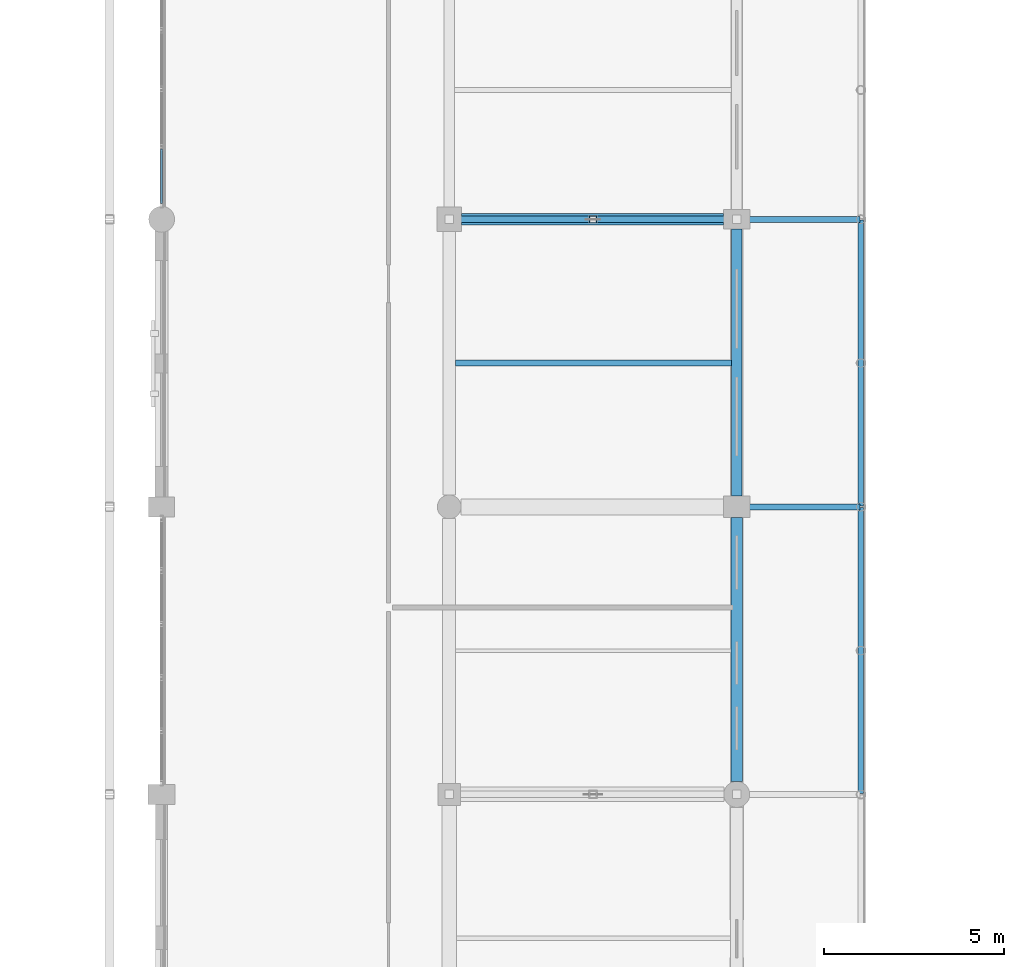
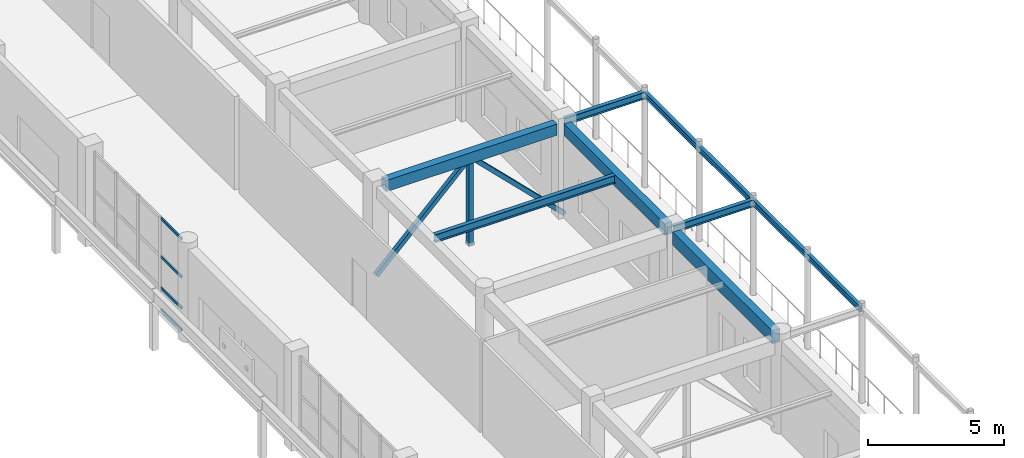
# One storey, part 66 of 160: 8 beams, 7 members, 1 element without a shape of its own.
"""IFC4 building model written with IfcOpenShell, lengths in metres."""

import ifcopenshell
import ifcopenshell.guid

model = None  # the IFC model being written
_history = None  # IfcOwnerHistory: only IFC2X3 demands one
_inside = {}  # id of a spatial element -> (the spatial element, [elements in it])
_under = {}  # id of a project, library or spatial element -> (it, [spatial elements below it])
_declared = {}  # id of a project -> (the project, [libraries it declares])
_typed = {}  # id of a type object -> (the type object, [elements of that type])
_made_of = {}  # id of a material, layer set ... -> (it, [elements and type objects made of it])


def new_model(schema):
    """Start an empty IFC model of exactly this schema.

    Asked for "IFC4X3", IfcOpenShell would pick the latest addendum, in which some entities
    have other attributes; the version numbers below select the first issue.
    IFC2X3 requires an IfcOwnerHistory on every rooted entity: one is made here for all.
    """
    global model, _history
    if schema == "IFC4X3":
        model = ifcopenshell.file(schema_version=(4, 3, 0, 0))
    else:
        model = ifcopenshell.file(schema=schema)
    _inside.clear()
    _under.clear()
    _declared.clear()
    _typed.clear()
    _made_of.clear()
    _history = None
    if model.schema == "IFC2X3":
        org = make("IfcOrganization", Name="unknown")
        user = make(
            "IfcPersonAndOrganization",
            ThePerson=make("IfcPerson", FamilyName="unknown"),
            TheOrganization=org,
        )
        app = make(
            "IfcApplication",
            ApplicationDeveloper=org,
            Version="unknown",
            ApplicationFullName="unknown",
            ApplicationIdentifier="unknown",
        )
        _history = make(
            "IfcOwnerHistory",
            OwningUser=user,
            OwningApplication=app,
            ChangeAction="ADDED",
            CreationDate=0,
        )
    return model


def make(cls, **values):
    """One entity of the class cls with the attributes given. An attribute that is None is left unset."""
    return model.create_entity(
        cls, **{name: value for name, value in values.items() if value is not None}
    )


def rooted(cls, **values):
    """An entity with a GlobalId (a new one), such as an element, a storey or a relation."""
    return make(cls, GlobalId=ifcopenshell.guid.new(), OwnerHistory=_history, **values)


def si_unit(unit_type, name, prefix=None):
    """IfcSIUnit, for example si_unit("LENGTHUNIT", "METRE", prefix="MILLI")."""
    return make("IfcSIUnit", UnitType=unit_type, Prefix=prefix, Name=name)


def assignment(units):
    """IfcUnitAssignment: the units of a project."""
    return None if units is None else make("IfcUnitAssignment", Units=units)


def point(xyz):
    """IfcCartesianPoint."""
    return None if xyz is None else make("IfcCartesianPoint", Coordinates=xyz)


def direction(xyz):
    """IfcDirection."""
    return None if xyz is None else make("IfcDirection", DirectionRatios=xyz)


def frame(location, z_axis=None, x_axis=None):
    """IfcAxis2Placement3D, a coordinate frame: its origin and axes. An axis left out is left unset."""
    return make(
        "IfcAxis2Placement3D",
        Location=point(location),
        Axis=direction(z_axis),
        RefDirection=direction(x_axis),
    )


def frame_2d(location, x_axis=None):
    """IfcAxis2Placement2D, a coordinate frame in the plane: its origin and x axis."""
    return make(
        "IfcAxis2Placement2D", Location=point(location), RefDirection=direction(x_axis)
    )


def origin():
    """The frame at (0, 0, 0) with its axes left unset."""
    return frame((0.0, 0.0, 0.0))


def origin_2d():
    """The frame at (0, 0) in the plane with its x axis left unset."""
    return frame_2d((0.0, 0.0))


def place(relative_to, where):
    """IfcLocalPlacement: puts the frame where relative to a parent placement (None: the world)."""
    return make(
        "IfcLocalPlacement", PlacementRelTo=relative_to, RelativePlacement=where
    )


def context(
    kind, dimensions, precision=None, world=None, true_north=None, identifier=None
):
    """IfcGeometricRepresentationContext, for example the 3D "Model" context."""
    return make(
        "IfcGeometricRepresentationContext",
        ContextIdentifier=identifier,
        ContextType=kind,
        CoordinateSpaceDimension=dimensions,
        Precision=precision,
        WorldCoordinateSystem=world,
        TrueNorth=true_north,
    )


def subcontext(parent, identifier, kind, view, scale=None):
    """IfcGeometricRepresentationSubContext, for example "Body" below "Model"."""
    return make(
        "IfcGeometricRepresentationSubContext",
        ContextIdentifier=identifier,
        ContextType=kind,
        ParentContext=parent,
        TargetScale=scale,
        TargetView=view,
    )


def project(units=None, contexts=None):
    """IfcProject with its units and contexts."""
    return rooted(
        "IfcProject",
        Name="project",
        RepresentationContexts=contexts,
        UnitsInContext=assignment(units),
    )


def spatial(cls, under=None, at=None, **own):
    """A site, building, storey or space (cls), placed at a placement, below another one or the project."""
    s = rooted(cls, ObjectPlacement=at, **own)
    if under is not None:
        _under.setdefault(under.id(), (under, []))[1].append(s)
    return s


def profile(cls, at=None, kind="AREA", **sizes):
    """A parametric profile (cls). Its sizes go by their IFC names, for example OverallWidth=200.0."""
    return make(cls, ProfileType=kind, Position=at, **sizes)


def rectangle(**sizes):
    """IfcRectangleProfileDef."""
    return profile("IfcRectangleProfileDef", **sizes)


def hollow_rectangle(**sizes):
    """IfcRectangleHollowProfileDef."""
    return profile("IfcRectangleHollowProfileDef", **sizes)


def i_section(**sizes):
    """IfcIShapeProfileDef."""
    return profile("IfcIShapeProfileDef", **sizes)


def extrude(swept, where, along, depth):
    """IfcExtrudedAreaSolid: the profile swept, set in the frame where, extruded along a direction by depth."""
    return make(
        "IfcExtrudedAreaSolid",
        SweptArea=swept,
        Position=where,
        ExtrudedDirection=direction(along),
        Depth=depth,
    )


def shape(context_of_items, identifier, shape_type, items):
    """IfcShapeRepresentation: the items that make up one representation, for example the "Body"."""
    return make(
        "IfcShapeRepresentation",
        ContextOfItems=context_of_items,
        RepresentationIdentifier=identifier,
        RepresentationType=shape_type,
        Items=items,
    )


def material(Name=None, Category=None):
    """IfcMaterial."""
    return make("IfcMaterial", Name=Name, Category=Category)


def material_profile(
    of_material, cross_section, Name=None, Category=None, Priority=None
):
    """IfcMaterialProfile: a cross section and its material."""
    return make(
        "IfcMaterialProfile",
        Name=Name,
        Material=of_material,
        Profile=cross_section,
        Priority=Priority,
        Category=Category,
    )


def profile_set(profiles, Name=None, composite=None):
    """IfcMaterialProfileSet."""
    return make(
        "IfcMaterialProfileSet",
        Name=Name,
        MaterialProfiles=profiles,
        CompositeProfile=composite,
    )


def made_of(thing, what):
    """Note that an element or type object is made of a material, layer set ...; save() writes the relation."""
    if what is not None:
        _made_of.setdefault(what.id(), (what, []))[1].append(thing)
    return thing


def type_object(cls, material=None, **own):
    """A type object (cls), such as IfcWallType, which elements share."""
    return made_of(rooted(cls, **own), material)


def element(
    cls,
    number,
    at=None,
    inside=None,
    cuts=None,
    type_object=None,
    material=None,
    context=None,
    identifier="Body",
    shape_type=None,
    held_by="IfcProductDefinitionShape",
    body=None,
    shapes=None,
    **own,
):
    """One element of the class cls, such as IfcWall. Its Tag is "e" and its number.

    at: its placement. inside: the storey or other place that contains it. cuts: it is an
    opening in that element (IfcRelVoidsElement). A single representation is given by context,
    identifier, shape_type and body (its items); several are given by shapes. held_by: the class
    of the entity that holds the representations. save() writes the other relations.
    """
    e = rooted(cls, Tag="e%d" % number, ObjectPlacement=at, **own)
    if body is not None:
        shapes = [shape(context, identifier, shape_type, body)]
    if shapes is not None:
        e.Representation = make(held_by, Representations=shapes)
    if inside is not None:
        _inside.setdefault(inside.id(), (inside, []))[1].append(e)
    if cuts is not None:
        rooted(
            "IfcRelVoidsElement", RelatingBuildingElement=cuts, RelatedOpeningElement=e
        )
    if type_object is not None:
        _typed.setdefault(type_object.id(), (type_object, []))[1].append(e)
    return made_of(e, material)


def aggregate(whole, parts):
    """IfcRelAggregates: a whole, such as a stair, and the parts it consists of."""
    return rooted("IfcRelAggregates", RelatingObject=whole, RelatedObjects=parts)


def save(model, path):
    """Write the relations noted so far, then the file.

    IfcRelAggregates (storeys below a building ...), IfcRelContainedInSpatialStructure (elements
    in a storey), IfcRelDefinesByType, IfcRelAssociatesMaterial and IfcRelDeclares: one each for
    every whole, place, type object, material and project.
    """
    for whole, parts in _under.values():
        aggregate(whole, parts)
    for where, things in _inside.values():
        rooted(
            "IfcRelContainedInSpatialStructure",
            RelatedElements=things,
            RelatingStructure=where,
        )
    for kind, things in _typed.values():
        rooted("IfcRelDefinesByType", RelatedObjects=things, RelatingType=kind)
    for what, things in _made_of.values():
        rooted("IfcRelAssociatesMaterial", RelatedObjects=things, RelatingMaterial=what)
    for by, libraries in _declared.values():
        rooted("IfcRelDeclares", RelatingContext=by, RelatedDefinitions=libraries)
    model.write(path)


model = new_model("IFC4")

# Units and contexts
model_context = context("Model", 3, precision=1e-05, world=origin(), true_north=direction((0.0, 1.0)))
body_context = subcontext(model_context, "Body", "Model", "MODEL_VIEW")
ifc_project = project(units=[si_unit("LENGTHUNIT", "METRE"), si_unit("AREAUNIT", "SQUARE_METRE"), si_unit("VOLUMEUNIT", "CUBIC_METRE"), si_unit("PLANEANGLEUNIT", "RADIAN"), si_unit("MASSUNIT", "GRAM", prefix="KILO")], contexts=[model_context])

# Site, building, storey
site_placement = place(None, origin())
site = spatial("IfcSite", under=ifc_project, at=site_placement, CompositionType="ELEMENT")
building_placement = place(site_placement, origin())
building = spatial("IfcBuilding", under=site, at=building_placement, Name="Kharva Crest Polytechnic", CompositionType="ELEMENT")
storey_placement = place(building_placement, frame((0.0, 0.0, 4.5)))
storey = spatial("IfcBuildingStorey", under=building, at=storey_placement, Name="L01", CompositionType="ELEMENT", Elevation=4.5)

# Beams
ifc_material_1 = material(Name="Concrete C35/45", Category="concrete")
ifc_material_profile_1 = material_profile(ifc_material_1, rectangle(XDim=0.320068359375, YDim=0.5, at=origin_2d()), Name="RECT 320 X 500")
ifc_profile_set_1 = profile_set([ifc_material_profile_1], Name="Concrete C35/45")
beam_type_1 = type_object("IfcBeamType", Name="BM-RC-320X500", PredefinedType="BEAM", material=ifc_profile_set_1)
beam_1_placement = place(storey_placement, frame((40.340087890625, 78.800048828125, 3.969970703125), z_axis=(1.0, 0.0, 0.0), x_axis=(0.0, 1.0, 0.0)))
element("IfcBeam", 1, at=beam_1_placement, inside=storey, type_object=beam_type_1, Name="L01 Beam L/6-7", PredefinedType="BEAM", context=body_context, shape_type="SweptSolid", body=[
    extrude(rectangle(XDim=0.320068359375, YDim=0.5, at=origin_2d()), origin(), (0.0, 0.0, 1.0), 7.284912109375),
])
ifc_material_2 = material(Name="Steel S355", Category="steel")
ifc_material_profile_2 = material_profile(ifc_material_2, i_section(OverallWidth=0.14794921875, OverallDepth=0.26611328125, WebThickness=0.007568359375, FlangeThickness=0.012939453125, at=origin_2d()), Name="W250X44.8")
ifc_profile_set_2 = profile_set([ifc_material_profile_2], Name="Steel S355")
beam_type_2 = type_object("IfcBeamType", Name="BM-STL-W250X44", PredefinedType="SPANDREL", material=ifc_profile_set_2)
for number, where, z_axis, x_axis, name in (
    (2, (51.449951171875, 62.820068359375, 4.156982421875), (0.0, 1.0, 0.0), (-1.0, 0.0, 0.0), "L01 West Veranda Beam 3"),
    (3, (51.449951171875, 70.820068359375, 4.156982421875), (0.0, 1.0, 0.0), (-1.0, 0.0, 0.0), "L01 West Veranda Beam 4"),
):
    element("IfcBeam", number, at=place(storey_placement, frame(where, z_axis=z_axis, x_axis=x_axis)), inside=storey, type_object=beam_type_2, Name=name, PredefinedType="SPANDREL", context=body_context, shape_type="SweptSolid", body=[
        extrude(i_section(OverallWidth=0.14794921875, OverallDepth=0.26611328125, WebThickness=0.007568359375, FlangeThickness=0.012939453125, at=origin_2d()), origin(), (0.0, 0.0, 1.0), 7.9599609375),
    ])
ifc_material_profile_3 = material_profile(ifc_material_2, i_section(OverallWidth=0.1669921875, OverallDepth=0.31689453125, WebThickness=0.007568359375, FlangeThickness=0.01318359375, at=origin_2d()), Name="W310X52")
ifc_profile_set_3 = profile_set([ifc_material_profile_3], Name="Steel S355")
beam_type_3 = type_object("IfcBeamType", Name="BM-STL-W310X52", PredefinedType="BEAM", material=ifc_profile_set_3)
for number, where, z_axis, x_axis, name in (
    (4, (48.02001953125, 70.800048828125, 4.131591796875), (1.0, 0.0, 0.0), (0.0, 1.0, 0.0), "L01 West Veranda Tie 4"),
    (5, (48.02001953125, 78.800048828125, 4.131591796875), (1.0, 0.0, 0.0), (0.0, 1.0, 0.0), "L01 West Veranda Tie 5"),
):
    element("IfcBeam", number, at=place(storey_placement, frame(where, z_axis=z_axis, x_axis=x_axis)), inside=storey, type_object=beam_type_3, Name=name, PredefinedType="BEAM", context=body_context, shape_type="SweptSolid", body=[
        extrude(i_section(OverallWidth=0.1669921875, OverallDepth=0.31689453125, WebThickness=0.007568359375, FlangeThickness=0.01318359375, at=origin_2d()), origin(), (0.0, 0.0, 1.0), 3.409912109375),
    ])
ifc_material_profile_4 = material_profile(ifc_material_2, i_section(OverallWidth=0.172119140625, OverallDepth=0.35791015625, WebThickness=0.0078125, FlangeThickness=0.01318359375, at=origin_2d()), Name="W360X57.8")
ifc_profile_set_4 = profile_set([ifc_material_profile_4], Name="Steel S355")
beam_type_4 = type_object("IfcBeamType", Name="BM-STL-W360X57", PredefinedType="JOIST", material=ifc_profile_set_4)
beam_2_placement = place(storey_placement, frame((40.169921875, 74.800048828125, 4.041015625), z_axis=(1.0, 0.0, 0.0), x_axis=(0.0, 1.0, 0.0)))
element("IfcBeam", 6, at=beam_2_placement, inside=storey, type_object=beam_type_4, Name="L01 Floor Joist 4", PredefinedType="JOIST", context=body_context, shape_type="SweptSolid", body=[
    extrude(i_section(OverallWidth=0.172119140625, OverallDepth=0.35791015625, WebThickness=0.0078125, FlangeThickness=0.01318359375, at=origin_2d()), origin(), (0.0, 0.0, 1.0), 7.68017578125),
])

# Curtain wall, members
ifc_material_3 = material(Name="Tempered insulated glass", Category="glass")
curtain_wall_type = type_object("IfcCurtainWallType", Name="CW-SYS-COURT", PredefinedType="USERDEFINED", material=ifc_material_3)
curtain_wall_placement = place(storey_placement, origin())
curtain_wall = element("IfcCurtainWall", 7, at=curtain_wall_placement, inside=storey, type_object=curtain_wall_type, Name="L01 Glazed Curtain Wall CW-053", ObjectType="CURTAIN WALL", PredefinedType="USERDEFINED")
ifc_material_profile_5 = material_profile(ifc_material_2, hollow_rectangle(XDim=0.06005859375, YDim=0.1201171875, WallThickness=0.00390625, at=origin_2d()), Name="RHS 120X60X4.0")
ifc_profile_set_5 = profile_set([ifc_material_profile_5], Name="Steel S355")
member_type_1 = type_object("IfcMemberType", Name="CWT-RHS120X60", PredefinedType="USERDEFINED", material=ifc_profile_set_5)
member_1_placement = place(storey_placement, frame((32.0, 80.757568359375, 0.06005859375), z_axis=(0.0, -1.0, 0.0), x_axis=(1.0, 0.0, 0.0)))
member_1 = element("IfcMember", 8, at=member_1_placement, type_object=member_type_1, Name="CW-053 transom 4.1", ObjectType="TRANSOM", PredefinedType="USERDEFINED", context=body_context, shape_type="SweptSolid", body=[
    extrude(hollow_rectangle(XDim=0.06005859375, YDim=0.1201171875, WallThickness=0.00390625, at=origin_2d()), origin(), (0.0, 0.0, 1.0), 1.512451171875),
])
member_2_placement = place(storey_placement, frame((32.0, 80.757568359375, 1.050048828125), z_axis=(0.0, -1.0, 0.0), x_axis=(1.0, 0.0, 0.0)))
member_2 = element("IfcMember", 9, at=member_2_placement, type_object=member_type_1, Name="CW-053 transom 4.2", ObjectType="TRANSOM", PredefinedType="USERDEFINED", context=body_context, shape_type="SweptSolid", body=[
    extrude(hollow_rectangle(XDim=0.06005859375, YDim=0.1201171875, WallThickness=0.00390625, at=origin_2d()), origin(), (0.0, 0.0, 1.0), 1.512451171875),
])
member_3_placement = place(storey_placement, frame((32.0, 80.757568359375, 2.449951171875), z_axis=(0.0, -1.0, 0.0), x_axis=(1.0, 0.0, 0.0)))
member_3 = element("IfcMember", 10, at=member_3_placement, type_object=member_type_1, Name="CW-053 transom 4.3", ObjectType="TRANSOM", PredefinedType="USERDEFINED", context=body_context, shape_type="SweptSolid", body=[
    extrude(hollow_rectangle(XDim=0.06005859375, YDim=0.1201171875, WallThickness=0.00390625, at=origin_2d()), origin(), (0.0, 0.0, 1.0), 1.512451171875),
])
member_4_placement = place(storey_placement, frame((32.0, 80.757568359375, 4.159912109375), z_axis=(0.0, -1.0, 0.0), x_axis=(1.0, 0.0, 0.0)))
member_4 = element("IfcMember", 11, at=member_4_placement, type_object=member_type_1, Name="CW-053 transom 4.4", ObjectType="TRANSOM", PredefinedType="USERDEFINED", context=body_context, shape_type="SweptSolid", body=[
    extrude(hollow_rectangle(XDim=0.06005859375, YDim=0.1201171875, WallThickness=0.00390625, at=origin_2d()), origin(), (0.0, 0.0, 1.0), 1.512451171875),
])
aggregate(curtain_wall, [member_1, member_2, member_3, member_4])

# Members
ifc_material_profile_6 = material_profile(ifc_material_2, hollow_rectangle(XDim=0.179931640625, YDim=0.179931640625, WallThickness=0.008056640625, at=origin_2d()), Name="RHS 180X180X8.0")
ifc_profile_set_6 = profile_set([ifc_material_profile_6], Name="Steel S355")
member_type_2 = type_object("IfcMemberType", Name="MEM-RHS180-BR", PredefinedType="BRACE", material=ifc_profile_set_6)
for number, where, z_axis, x_axis, name in (
    (12, (40.0, 78.800048828125, 0.0), (0.711544263728, 0.0, 0.702641274589), (0.0, 1.0, 0.0), "L01 Braced Frame 5 Diagonal A"),
    (13, (48.0, 78.800048828125, 0.0), (-0.711544263728, 0.0, 0.702641274589), (0.0, -1.0, 0.0), "L01 Braced Frame 5 Diagonal B"),
):
    element("IfcMember", number, at=place(storey_placement, frame(where, z_axis=z_axis, x_axis=x_axis)), inside=storey, type_object=member_type_2, Name=name, PredefinedType="BRACE", context=body_context, shape_type="SweptSolid", body=[
        extrude(hollow_rectangle(XDim=0.179931640625, YDim=0.179931640625, WallThickness=0.008056640625, at=origin_2d()), origin(), (0.0, 0.0, 1.0), 5.62158203125),
    ])
ifc_material_profile_7 = material_profile(ifc_material_2, hollow_rectangle(XDim=0.199951171875, YDim=0.199951171875, WallThickness=0.008056640625, at=origin_2d()), Name="RHS 200X200X8.0")
ifc_profile_set_7 = profile_set([ifc_material_profile_7], Name="Steel S355")
member_type_3 = type_object("IfcMemberType", Name="MEM-RHS200-ST", PredefinedType="STRUT", material=ifc_profile_set_7)
member_5_placement = place(storey_placement, frame((44.0, 78.800048828125, 0.0), z_axis=(0.0, 0.0, 1.0), x_axis=(1.0, 0.0, 0.0)))
element("IfcMember", 14, at=member_5_placement, inside=storey, type_object=member_type_3, Name="L01 Braced Frame 5 King Strut", PredefinedType="STRUT", context=body_context, shape_type="SweptSolid", body=[
    extrude(hollow_rectangle(XDim=0.199951171875, YDim=0.199951171875, WallThickness=0.008056640625, at=origin_2d()), origin(), (0.0, 0.0, 1.0), 3.949951171875),
])

# Beams
ifc_material_profile_8 = material_profile(ifc_material_1, rectangle(XDim=0.300048828125, YDim=0.52001953125, at=origin_2d()), Name="RECT 300 X 520")
ifc_profile_set_8 = profile_set([ifc_material_profile_8], Name="Concrete C35/45")
beam_type_5 = type_object("IfcBeamType", Name="SP-RC-300X520", PredefinedType="SPANDREL", material=ifc_profile_set_8)
beam_3_placement = place(storey_placement, frame((48.0, 71.10009765625, 3.9599609375), z_axis=(0.0, 1.0, 0.0), x_axis=(-1.0, 0.0, 0.0)))
element("IfcBeam", 15, at=beam_3_placement, inside=storey, type_object=beam_type_5, Name="L01 Girder 7/K-L", PredefinedType="SPANDREL", context=body_context, shape_type="SweptSolid", body=[
    extrude(rectangle(XDim=0.300048828125, YDim=0.52001953125, at=origin_2d()), origin(), (0.0, 0.0, 1.0), 7.4248046875),
])
ifc_material_profile_9 = material_profile(ifc_material_1, rectangle(XDim=0.320068359375, YDim=0.580078125, at=origin_2d()), Name="RECT 320 X 580")
ifc_profile_set_9 = profile_set([ifc_material_profile_9], Name="Concrete C35/45")
beam_type_6 = type_object("IfcBeamType", Name="SP-RC-320X580", PredefinedType="SPANDREL", material=ifc_profile_set_9)
beam_4_placement = place(storey_placement, frame((48.0, 63.159912109375, 3.929931640625), z_axis=(0.0, 1.0, 0.0), x_axis=(-1.0, 0.0, 0.0)))
element("IfcBeam", 16, at=beam_4_placement, inside=storey, type_object=beam_type_6, Name="L01 Girder 7/J-K", PredefinedType="SPANDREL", context=body_context, shape_type="SweptSolid", body=[
    extrude(rectangle(XDim=0.320068359375, YDim=0.580078125, at=origin_2d()), origin(), (0.0, 0.0, 1.0), 7.340087890625),
])

save(model, "model.ifc")
